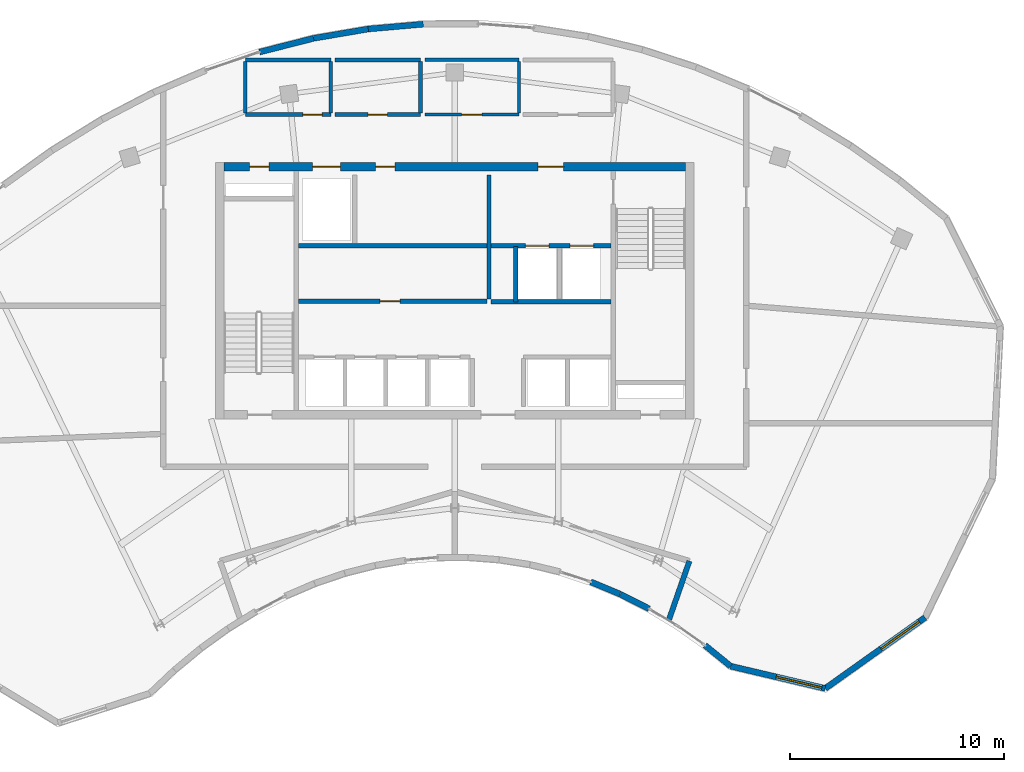
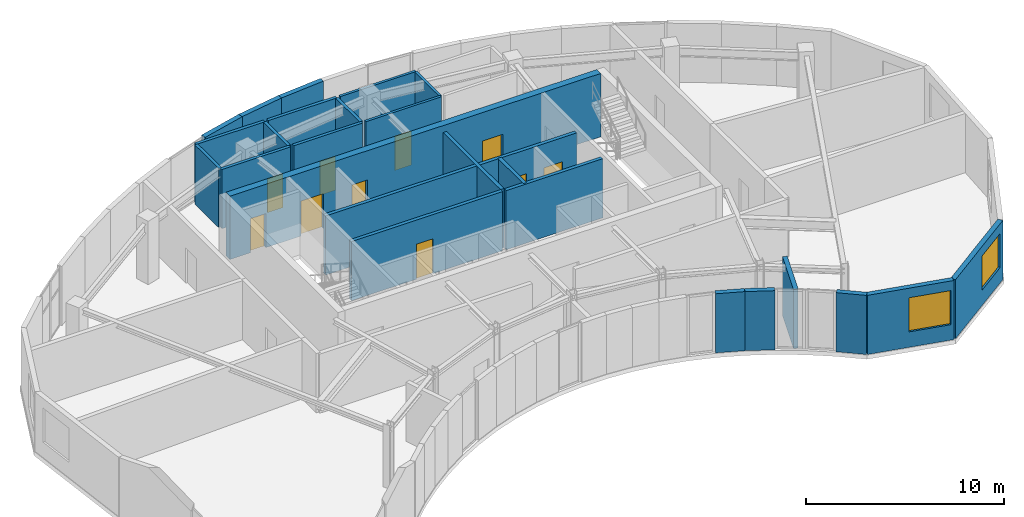
# One storey, part 6 of 9: 26 walls, 10 doors, 2 windows, 12 openings.
"""IFC4 building model written with IfcOpenShell, lengths in metres."""

from ifc_helpers import new_model, si_unit, direction, frame, frame_2d, origin, place, context, subcontext, project, spatial, rectangle, extrude, source, transform, mapped, material, layer, layer_set, type_object, type_shapes, element, fill, save


model = new_model("IFC4")

# Units and contexts
model_context = context("Model", 3, precision=1e-05, world=origin(), true_north=direction((0.0, 1.0)))
body_context = subcontext(model_context, "Body", "Model", "MODEL_VIEW")
ifc_project = project(units=[si_unit("LENGTHUNIT", "METRE"), si_unit("AREAUNIT", "SQUARE_METRE"), si_unit("VOLUMEUNIT", "CUBIC_METRE"), si_unit("PLANEANGLEUNIT", "RADIAN"), si_unit("MASSUNIT", "GRAM", prefix="KILO")], contexts=[model_context])

# Site, building, storey
site_placement = place(None, origin())
site = spatial("IfcSite", under=ifc_project, at=site_placement, CompositionType="ELEMENT")
building_placement = place(site_placement, origin())
building = spatial("IfcBuilding", under=site, at=building_placement, Name="Breltana Convention Tower", CompositionType="ELEMENT")
storey_placement = place(building_placement, frame((0.0, 0.0, 291.300048828125)))
storey = spatial("IfcBuildingStorey", under=building, at=storey_placement, Name="L71", CompositionType="ELEMENT", Elevation=291.300048828125)

# Wall, openings, doors
ifc_material_1 = material(Name="Concrete C50/60", Category="concrete")
ifc_layer_1 = layer(ifc_material_1, 0.39990234375, Name="Concrete C50/60")
ifc_layer_set_1 = layer_set([ifc_layer_1], Name="Concrete C50/60")
wall_type_1 = type_object("IfcWallType", Name="SW-CORE-400", PredefinedType="SHEAR", material=ifc_layer_set_1)
shared_shape_1 = source(origin(), body_context, "Body", "SweptSolid", [
    extrude(rectangle(XDim=21.60009765625, YDim=0.39990234375, at=frame_2d((10.800048828125, 0.0))), origin(), (0.0, 0.0, 1.0), 3.89990234375),
])
wall_1_placement = place(storey_placement, frame((37.199951171875, 72.0, 0.0), z_axis=(0.0, 0.0, 1.0), x_axis=(1.0, 0.0, 0.0)))
wall_1 = element("IfcWall", 1, at=wall_1_placement, inside=storey, type_object=wall_type_1, Name="L71 North Core Shear Wall", PredefinedType="SHEAR", context=body_context, shape_type="MappedRepresentation", body=[
    mapped(shared_shape_1, transform((0.0, 0.0, 0.0), scale=1.0)),
])
opening_1_placement = place(wall_1_placement, frame((1.199951171875, 0.0, 0.0)))
opening_1 = element("IfcOpeningElement", 2, at=opening_1_placement, cuts=wall_1, Name="Opening D-18", PredefinedType="OPENING", context=body_context, shape_type="SweptSolid", body=[
    extrude(rectangle(XDim=0.89990234375, YDim=2.10009765625, at=frame_2d((0.449951171875, 1.050048828125))), frame((0.0, 0.2099609375, 0.0), z_axis=(0.0, -1.0, 0.0), x_axis=(1.0, 0.0, 0.0)), (0.0, 0.0, 1.0), 0.419921875),
])
opening_2_placement = place(wall_1_placement, frame((14.699951171875, 0.0, 0.0)))
opening_2 = element("IfcOpeningElement", 3, at=opening_2_placement, cuts=wall_1, Name="Opening D-09", PredefinedType="OPENING", context=body_context, shape_type="SweptSolid", body=[
    extrude(rectangle(XDim=1.199951171875, YDim=2.14990234375, at=frame_2d((0.60009765625, 1.074951171875))), frame((0.0, 0.2099609375, 0.0), z_axis=(0.0, -1.0, 0.0), x_axis=(1.0, 0.0, 0.0)), (0.0, 0.0, 1.0), 0.419921875),
])
opening_3_placement = place(wall_1_placement, frame((4.14990234375, 0.0, 0.0)))
opening_3 = element("IfcOpeningElement", 4, at=opening_3_placement, cuts=wall_1, Name="Opening LD-01", PredefinedType="OPENING", context=body_context, shape_type="SweptSolid", body=[
    extrude(rectangle(XDim=1.300048828125, YDim=2.14990234375, at=frame_2d((0.64990234375, 1.074951171875))), frame((0.0, 0.2099609375, 0.0), z_axis=(0.0, -1.0, 0.0), x_axis=(1.0, 0.0, 0.0)), (0.0, 0.0, 1.0), 0.419921875),
])
opening_4_placement = place(wall_1_placement, frame((7.10009765625, 0.0, 0.0)))
opening_4 = element("IfcOpeningElement", 5, at=opening_4_placement, cuts=wall_1, Name="Opening D-18", PredefinedType="OPENING", context=body_context, shape_type="SweptSolid", body=[
    extrude(rectangle(XDim=0.89990234375, YDim=2.10009765625, at=frame_2d((0.449951171875, 1.050048828125))), frame((0.0, 0.2099609375, 0.0), z_axis=(0.0, -1.0, 0.0), x_axis=(1.0, 0.0, 0.0)), (0.0, 0.0, 1.0), 0.419921875),
])
ifc_material_2 = material(Name="Steel Riser Fire Door", Category="steel")
door_type_1 = type_object("IfcDoorType", Name="DR-FD60-900", OperationType="NOTDEFINED", PredefinedType="DOOR", material=ifc_material_2)
shared_shape_2 = source(origin(), body_context, "Body", "SweptSolid", [
    extrude(rectangle(XDim=0.89990234375, YDim=2.10009765625, at=frame_2d((0.449951171875, 1.050048828125))), frame((0.0, 0.02490234375, 0.0), z_axis=(0.0, -1.0, 0.0), x_axis=(1.0, 0.0, 0.0)), (0.0, 0.0, 1.0), 0.050048828125),
])
type_shapes(door_type_1, [shared_shape_2])
door_1_placement = place(opening_1_placement, origin())
door_1 = element("IfcDoor", 6, at=door_1_placement, inside=storey, type_object=door_type_1, Name="L71 Core Riser Access Door D-L71-RS1", OperationType="SINGLE_SWING_LEFT", OverallHeight=2.10009765625, OverallWidth=0.89990234375, PredefinedType="DOOR", context=body_context, shape_type="MappedRepresentation", body=[
    mapped(shared_shape_2, transform((0.0, 0.0, 0.0), scale=1.0)),
])
fill(opening_1, door_1)
door_2_placement = place(opening_4_placement, origin())
door_2 = element("IfcDoor", 7, at=door_2_placement, inside=storey, type_object=door_type_1, Name="L71 interior door D-L71-CRA1", OperationType="SINGLE_SWING_LEFT", OverallHeight=2.10009765625, OverallWidth=0.89990234375, PredefinedType="DOOR", context=body_context, shape_type="MappedRepresentation", body=[
    mapped(shared_shape_2, transform((0.0, 0.0, 0.0), scale=1.0)),
])
fill(opening_4, door_2)
ifc_material_3 = material(Name="Steel Fire Lobby Door", Category="steel")
door_type_2 = type_object("IfcDoorType", Name="DR-FD120-1200", OperationType="NOTDEFINED", PredefinedType="DOOR", material=ifc_material_3)
shared_shape_3 = source(origin(), body_context, "Body", "SweptSolid", [
    extrude(rectangle(XDim=1.199951171875, YDim=2.14990234375, at=frame_2d((0.60009765625, 1.074951171875))), frame((0.0, 0.02490234375, 0.0), z_axis=(0.0, -1.0, 0.0), x_axis=(1.0, 0.0, 0.0)), (0.0, 0.0, 1.0), 0.050048828125),
])
type_shapes(door_type_2, [shared_shape_3])
door_3_placement = place(opening_2_placement, origin())
door_3 = element("IfcDoor", 8, at=door_3_placement, inside=storey, type_object=door_type_2, Name="L71 interior door D-L71-FFL-N", OperationType="SINGLE_SWING_RIGHT", OverallHeight=2.14990234375, OverallWidth=1.199951171875, PredefinedType="DOOR", context=body_context, shape_type="MappedRepresentation", body=[
    mapped(shared_shape_3, transform((0.0, 0.0, 0.0), scale=1.0)),
])
fill(opening_2, door_3)
ifc_material_4 = material(Name="Stainless Steel Brushed", Category="steel")
door_type_3 = type_object("IfcDoorType", Name="DR-LD-SRV-1300", OperationType="DOUBLE_DOOR_SLIDING", PredefinedType="DOOR", material=ifc_material_4)
shared_shape_4 = source(origin(), body_context, "Body", "SweptSolid", [
    extrude(rectangle(XDim=1.300048828125, YDim=2.14990234375, at=frame_2d((0.64990234375, 1.074951171875))), frame((0.0, 0.02490234375, 0.0), z_axis=(0.0, -1.0, 0.0), x_axis=(1.0, 0.0, 0.0)), (0.0, 0.0, 1.0), 0.050048828125),
])
type_shapes(door_type_3, [shared_shape_4])
door_4_placement = place(opening_3_placement, origin())
door_4 = element("IfcDoor", 9, at=door_4_placement, inside=storey, type_object=door_type_3, Name="L71 Lift Landing Door D-L71-LD-SV1", OperationType="DOUBLE_DOOR_SLIDING", OverallHeight=2.14990234375, OverallWidth=1.300048828125, PredefinedType="DOOR", context=body_context, shape_type="MappedRepresentation", body=[
    mapped(shared_shape_4, transform((0.0, 0.0, 0.0), scale=1.0)),
])
fill(opening_3, door_4)

# Wall, opening, window
ifc_material_5 = material(Name="Limestone Buff Insulated Wall", Category="masonry")
ifc_layer_2 = layer(ifc_material_5, 0.280029296875, Name="Limestone Buff Insulated Wall")
ifc_layer_set_2 = layer_set([ifc_layer_2], Name="Limestone Buff Insulated Wall")
wall_type_2 = type_object("IfcWallType", Name="WL-EXT-NOSE-280", PredefinedType="SOLIDWALL", material=ifc_layer_set_2)
shared_shape_5 = source(origin(), body_context, "Body", "SweptSolid", [
    extrude(rectangle(XDim=5.730712890625, YDim=0.280029296875, at=frame_2d((2.865234375, 0.0))), origin(), (0.0, 0.0, 1.0), 3.639892578125),
])
wall_2_placement = place(storey_placement, frame((70.003662109375, 50.9091796875, 0.0), z_axis=(0.0, 0.0, 1.0), x_axis=(-0.815021045908, -0.579431354629, 0.0)))
wall_2 = element("IfcWall", 10, at=wall_2_placement, inside=storey, type_object=wall_type_2, Name="L71 curved limestone nose wall E4", PredefinedType="SOLIDWALL", context=body_context, shape_type="MappedRepresentation", body=[
    mapped(shared_shape_5, transform((0.0, 0.0, 0.0), scale=1.0)),
])
opening_5_placement = place(wall_2_placement, frame((0.332763671875, 0.0, 0.949951171875)))
opening_5 = element("IfcOpeningElement", 11, at=opening_5_placement, cuts=wall_2, Name="Opening W-03", PredefinedType="OPENING", context=body_context, shape_type="SweptSolid", body=[
    extrude(rectangle(XDim=2.199951171875, YDim=2.10009765625, at=frame_2d((1.10009765625, 1.050048828125))), frame((0.0, 0.14990234375, 0.0), z_axis=(0.0, -1.0, 0.0), x_axis=(1.0, 0.0, 0.0)), (0.0, 0.0, 1.0), 0.300048828125),
])
ifc_material_6 = material(Name="Glass Low-E Insulated Window", Category="glass")
window_type = type_object("IfcWindowType", Name="WN-NOSE-2200X2100", PartitioningType="TRIPLE_PANEL_VERTICAL", PredefinedType="WINDOW", material=ifc_material_6)
shared_shape_6 = source(origin(), body_context, "Body", "SweptSolid", [
    extrude(rectangle(XDim=2.199951171875, YDim=2.10009765625, at=frame_2d((1.10009765625, 1.050048828125))), frame((0.0, 0.030029296875, 0.0), z_axis=(0.0, -1.0, 0.0), x_axis=(1.0, 0.0, 0.0)), (0.0, 0.0, 1.0), 0.06005859375),
])
type_shapes(window_type, [shared_shape_6])
window_1_placement = place(opening_5_placement, origin())
window_1 = element("IfcWindow", 12, at=window_1_placement, inside=storey, type_object=window_type, Name="L71 nose window E4", OverallHeight=2.10009765625, OverallWidth=2.199951171875, PartitioningType="TRIPLE_PANEL_VERTICAL", PredefinedType="WINDOW", context=body_context, shape_type="MappedRepresentation", body=[
    mapped(shared_shape_6, transform((0.0, 0.0, 0.0), scale=1.0)),
])
fill(opening_5, window_1)

shared_shape_7 = source(origin(), body_context, "Body", "SweptSolid", [
    extrude(rectangle(XDim=4.546630859375, YDim=0.280029296875, at=frame_2d((2.2734375, 0.0))), origin(), (0.0, 0.0, 1.0), 3.639892578125),
])
wall_3_placement = place(storey_placement, frame((65.3330078125, 47.588623046875, 0.0), z_axis=(0.0, 0.0, 1.0), x_axis=(-0.973332593516, 0.229398479505, 0.0)))
wall_3 = element("IfcWall", 13, at=wall_3_placement, inside=storey, type_object=wall_type_2, Name="L71 curved limestone nose wall E5", PredefinedType="SOLIDWALL", context=body_context, shape_type="MappedRepresentation", body=[
    mapped(shared_shape_7, transform((0.0, 0.0, 0.0), scale=1.0)),
])
opening_6_placement = place(wall_3_placement, frame((0.159912109375, 0.0, 0.949951171875)))
opening_6 = element("IfcOpeningElement", 14, at=opening_6_placement, cuts=wall_3, Name="Opening W-03", PredefinedType="OPENING", context=body_context, shape_type="SweptSolid", body=[
    extrude(rectangle(XDim=2.199951171875, YDim=2.10009765625, at=frame_2d((1.10009765625, 1.050048828125))), frame((0.0, 0.14990234375, 0.0), z_axis=(0.0, -1.0, 0.0), x_axis=(1.0, 0.0, 0.0)), (0.0, 0.0, 1.0), 0.300048828125),
])
window_2_placement = place(opening_6_placement, origin())
window_2 = element("IfcWindow", 15, at=window_2_placement, inside=storey, type_object=window_type, Name="L71 nose window E5", OverallHeight=2.10009765625, OverallWidth=2.199951171875, PartitioningType="TRIPLE_PANEL_VERTICAL", PredefinedType="WINDOW", context=body_context, shape_type="MappedRepresentation", body=[
    mapped(shared_shape_6, transform((0.0, 0.0, 0.0), scale=1.0)),
])
fill(opening_6, window_2)

# Walls
shared_shape_8 = source(origin(), body_context, "Body", "SweptSolid", [
    extrude(rectangle(XDim=1.54345703125, YDim=0.280029296875, at=frame_2d((0.771728515625, 0.0))), origin(), (0.0, 0.0, 1.0), 3.639892578125),
])
wall_4_placement = place(storey_placement, frame((60.90771484375, 48.631591796875, 0.0), z_axis=(0.0, 0.0, 1.0), x_axis=(-0.77582846857, 0.63094388606, 0.0)))
element("IfcWall", 16, at=wall_4_placement, inside=storey, type_object=wall_type_2, Name="L71 curved limestone nose wall E6", PredefinedType="SOLIDWALL", context=body_context, shape_type="MappedRepresentation", body=[
    mapped(shared_shape_8, transform((0.0, 0.0, 0.0), scale=1.0)),
])
shared_shape_9 = source(origin(), body_context, "Body", "SweptSolid", [
    extrude(rectangle(XDim=1.508544921875, YDim=0.280029296875, at=frame_2d((0.75439453125, 0.0))), origin(), (0.0, 0.0, 1.0), 3.639892578125),
])
wall_5_placement = place(storey_placement, frame((57.09375, 51.3154296875, 0.0), z_axis=(0.0, 0.0, 1.0), x_axis=(-0.89169189228, 0.452642871635, 0.0)))
element("IfcWall", 17, at=wall_5_placement, inside=storey, type_object=wall_type_2, Name="L71 curved limestone nose wall E7", PredefinedType="SOLIDWALL", context=body_context, shape_type="MappedRepresentation", body=[
    mapped(shared_shape_9, transform((0.0, 0.0, 0.0), scale=1.0)),
])
shared_shape_10 = source(origin(), body_context, "Body", "SweptSolid", [
    extrude(rectangle(XDim=1.48779296875, YDim=0.280029296875, at=frame_2d((0.743896484375, 0.0))), origin(), (0.0, 0.0, 1.0), 3.639892578125),
])
wall_6_placement = place(storey_placement, frame((55.736328125, 52.00390625, 0.0), z_axis=(0.0, 0.0, 1.0), x_axis=(-0.923261314935, 0.384172545017, 0.0)))
element("IfcWall", 18, at=wall_6_placement, inside=storey, type_object=wall_type_2, Name="L71 curved limestone nose wall E8", PredefinedType="SOLIDWALL", context=body_context, shape_type="MappedRepresentation", body=[
    mapped(shared_shape_10, transform((0.0, 0.0, 0.0), scale=1.0)),
])
shared_shape_11 = source(origin(), body_context, "Body", "SweptSolid", [
    extrude(rectangle(XDim=2.6142578125, YDim=0.280029296875, at=frame_2d((1.30712890625, 0.0))), origin(), (0.0, 0.0, 1.0), 3.639892578125),
])
wall_7_placement = place(storey_placement, frame((38.86328125, 77.36181640625, 0.0), z_axis=(0.0, 0.0, 1.0), x_axis=(0.969106509315, 0.246642602978, 0.0)))
element("IfcWall", 19, at=wall_7_placement, inside=storey, type_object=wall_type_2, Name="L71 curved limestone nose wall E24", PredefinedType="SOLIDWALL", context=body_context, shape_type="MappedRepresentation", body=[
    mapped(shared_shape_11, transform((0.0, 0.0, 0.0), scale=1.0)),
])
shared_shape_12 = source(origin(), body_context, "Body", "SweptSolid", [
    extrude(rectangle(XDim=2.58251953125, YDim=0.280029296875, at=frame_2d((1.291259765625, 0.0))), origin(), (0.0, 0.0, 1.0), 3.639892578125),
])
wall_8_placement = place(storey_placement, frame((43.954345703125, 78.4423828125, 0.0), z_axis=(0.0, 0.0, 1.0), x_axis=(0.996168946569, 0.087449584851, 0.0)))
element("IfcWall", 20, at=wall_8_placement, inside=storey, type_object=wall_type_2, Name="L71 curved limestone nose wall E26", PredefinedType="SOLIDWALL", context=body_context, shape_type="MappedRepresentation", body=[
    mapped(shared_shape_12, transform((0.0, 0.0, 0.0), scale=1.0)),
])
shared_shape_13 = source(origin(), body_context, "Body", "SweptSolid", [
    extrude(rectangle(XDim=2.594482421875, YDim=0.280029296875, at=frame_2d((1.29736328125, 0.0))), origin(), (0.0, 0.0, 1.0), 3.639892578125),
])
wall_9_placement = place(storey_placement, frame((41.396728515625, 78.006591796875, 0.0), z_axis=(0.0, 0.0, 1.0), x_axis=(0.985792341502, 0.167968626344, 0.0)))
element("IfcWall", 21, at=wall_9_placement, inside=storey, type_object=wall_type_2, Name="L71 curved limestone nose wall E25", PredefinedType="SOLIDWALL", context=body_context, shape_type="MappedRepresentation", body=[
    mapped(shared_shape_13, transform((0.0, 0.0, 0.0), scale=1.0)),
])

# Wall, openings, doors
ifc_material_7 = material(Name="Autoclaved Aerated Concrete Block", Category="concrete")
ifc_layer_3 = layer(ifc_material_7, 0.199951171875, Name="Autoclaved Aerated Concrete Block")
ifc_layer_set_3 = layer_set([ifc_layer_3], Name="Autoclaved Aerated Concrete Block")
wall_type_3 = type_object("IfcWallType", Name="WL-SHAFT-200", PredefinedType="SOLIDWALL", material=ifc_layer_set_3)
shared_shape_14 = source(origin(), body_context, "Body", "SweptSolid", [
    extrude(rectangle(XDim=5.6201171875, YDim=0.199951171875, at=frame_2d((2.81005859375, 0.0))), origin(), (0.0, 0.0, 1.0), 3.639892578125),
])
wall_10_placement = place(storey_placement, frame((49.699951171875, 68.300048828125, 0.0), z_axis=(0.0, 0.0, 1.0), x_axis=(1.0, 0.0, 0.0)))
wall_10 = element("IfcWall", 22, at=wall_10_placement, inside=storey, type_object=wall_type_3, Name="L71 interior partition W-L71-FFL-S", PredefinedType="SOLIDWALL", context=body_context, shape_type="MappedRepresentation", body=[
    mapped(shared_shape_14, transform((0.0, 0.0, 0.0), scale=1.0)),
])
opening_7_placement = place(wall_10_placement, frame((1.60009765625, 0.0, 0.0)))
opening_7 = element("IfcOpeningElement", 23, at=opening_7_placement, cuts=wall_10, Name="Opening LD-03", PredefinedType="OPENING", context=body_context, shape_type="SweptSolid", body=[
    extrude(rectangle(XDim=1.10009765625, YDim=2.14990234375, at=frame_2d((0.550048828125, 1.074951171875))), frame((0.0, 0.10986328125, 0.0), z_axis=(0.0, -1.0, 0.0), x_axis=(1.0, 0.0, 0.0)), (0.0, 0.0, 1.0), 0.219970703125),
])
opening_8_placement = place(wall_10_placement, frame((3.699951171875, 0.0, 0.0)))
opening_8 = element("IfcOpeningElement", 24, at=opening_8_placement, cuts=wall_10, Name="Opening LD-03", PredefinedType="OPENING", context=body_context, shape_type="SweptSolid", body=[
    extrude(rectangle(XDim=1.10009765625, YDim=2.14990234375, at=frame_2d((0.550048828125, 1.074951171875))), frame((0.0, 0.10986328125, 0.0), z_axis=(0.0, -1.0, 0.0), x_axis=(1.0, 0.0, 0.0)), (0.0, 0.0, 1.0), 0.219970703125),
])
door_type_4 = type_object("IfcDoorType", Name="DR-LD-FF-1100", OperationType="DOUBLE_DOOR_SLIDING", PredefinedType="DOOR", material=ifc_material_4)
shared_shape_15 = source(origin(), body_context, "Body", "SweptSolid", [
    extrude(rectangle(XDim=1.10009765625, YDim=2.14990234375, at=frame_2d((0.550048828125, 1.074951171875))), frame((0.0, 0.02490234375, 0.0), z_axis=(0.0, -1.0, 0.0), x_axis=(1.0, 0.0, 0.0)), (0.0, 0.0, 1.0), 0.050048828125),
])
type_shapes(door_type_4, [shared_shape_15])
door_5_placement = place(opening_7_placement, origin())
door_5 = element("IfcDoor", 25, at=door_5_placement, inside=storey, type_object=door_type_4, Name="L71 Lift Landing Door D-L71-LD-FL1", OperationType="DOUBLE_DOOR_SLIDING", OverallHeight=2.14990234375, OverallWidth=1.10009765625, PredefinedType="DOOR", context=body_context, shape_type="MappedRepresentation", body=[
    mapped(shared_shape_15, transform((0.0, 0.0, 0.0), scale=1.0)),
])
fill(opening_7, door_5)
door_6_placement = place(opening_8_placement, origin())
door_6 = element("IfcDoor", 26, at=door_6_placement, inside=storey, type_object=door_type_4, Name="L71 Lift Landing Door D-L71-LD-FL2", OperationType="DOUBLE_DOOR_SLIDING", OverallHeight=2.14990234375, OverallWidth=1.10009765625, PredefinedType="DOOR", context=body_context, shape_type="MappedRepresentation", body=[
    mapped(shared_shape_15, transform((0.0, 0.0, 0.0), scale=1.0)),
])
fill(opening_8, door_6)

# Walls
wall_11_placement = place(storey_placement, frame((49.699951171875, 65.679931640625, 0.0), z_axis=(0.0, 0.0, 1.0), x_axis=(1.0, 0.0, 0.0)))
element("IfcWall", 27, at=wall_11_placement, inside=storey, type_object=wall_type_3, Name="L71 interior partition W-L71-FL-S", PredefinedType="SOLIDWALL", context=body_context, shape_type="MappedRepresentation", body=[
    mapped(shared_shape_14, transform((0.0, 0.0, 0.0), scale=1.0)),
])
shared_shape_16 = source(origin(), body_context, "Body", "SweptSolid", [
    extrude(rectangle(XDim=5.800048828125, YDim=0.199951171875, at=frame_2d((2.89990234375, 0.0))), origin(), (0.0, 0.0, 1.0), 3.639892578125),
])
wall_12_placement = place(storey_placement, frame((49.60009765625, 65.800048828125, 0.0), z_axis=(0.0, 0.0, 1.0), x_axis=(0.0, 1.0, 0.0)))
element("IfcWall", 28, at=wall_12_placement, inside=storey, type_object=wall_type_3, Name="L71 interior partition W-L71-FFL-W", PredefinedType="SOLIDWALL", context=body_context, shape_type="MappedRepresentation", body=[
    mapped(shared_shape_16, transform((0.0, 0.0, 0.0), scale=1.0)),
])
shared_shape_17 = source(origin(), body_context, "Body", "SweptSolid", [
    extrude(rectangle(XDim=2.580078125, YDim=0.199951171875, at=frame_2d((1.2900390625, 0.0))), origin(), (0.0, 0.0, 1.0), 3.639892578125),
])
wall_13_placement = place(storey_placement, frame((50.85009765625, 65.679931640625, 0.0), z_axis=(0.0, 0.0, 1.0), x_axis=(0.0, 1.0, 0.0)))
element("IfcWall", 29, at=wall_13_placement, inside=storey, type_object=wall_type_3, Name="L71 interior partition W-L71-FL-W", PredefinedType="SOLIDWALL", context=body_context, shape_type="MappedRepresentation", body=[
    mapped(shared_shape_17, transform((0.0, 0.0, 0.0), scale=1.0)),
])
shared_shape_18 = source(origin(), body_context, "Body", "SweptSolid", [
    extrude(rectangle(XDim=8.800048828125, YDim=0.199951171875, at=frame_2d((4.39990234375, 0.0))), origin(), (0.0, 0.0, 1.0), 3.639892578125),
])
wall_14_placement = place(storey_placement, frame((40.699951171875, 68.300048828125, 0.0), z_axis=(0.0, 0.0, 1.0), x_axis=(1.0, 0.0, 0.0)))
element("IfcWall", 30, at=wall_14_placement, inside=storey, type_object=wall_type_3, Name="L71 interior partition W-L71-SV-S", PredefinedType="SOLIDWALL", context=body_context, shape_type="MappedRepresentation", body=[
    mapped(shared_shape_18, transform((0.0, 0.0, 0.0), scale=1.0)),
])

# Wall, opening, door
wall_15_placement = place(storey_placement, frame((40.699951171875, 65.699951171875, 0.0), z_axis=(0.0, 0.0, 1.0), x_axis=(1.0, 0.0, 0.0)))
wall_15 = element("IfcWall", 31, at=wall_15_placement, inside=storey, type_object=wall_type_3, Name="L71 interior partition W-L71-SH-M-FRONT", PredefinedType="SOLIDWALL", context=body_context, shape_type="MappedRepresentation", body=[
    mapped(shared_shape_18, transform((0.0, 0.0, 0.0), scale=1.0)),
])
opening_9_placement = place(wall_15_placement, frame((3.800048828125, 0.0, 0.0)))
opening_9 = element("IfcOpeningElement", 32, at=opening_9_placement, cuts=wall_15, Name="Opening D-14", PredefinedType="OPENING", context=body_context, shape_type="SweptSolid", body=[
    extrude(rectangle(XDim=0.949951171875, YDim=2.14990234375, at=frame_2d((0.47509765625, 1.074951171875))), frame((0.0, 0.10986328125, 0.0), z_axis=(0.0, -1.0, 0.0), x_axis=(1.0, 0.0, 0.0)), (0.0, 0.0, 1.0), 0.219970703125),
])
ifc_material_8 = material(Name="Timber Solid-Core Fire Door", Category="wood")
door_type_5 = type_object("IfcDoorType", Name="DR-FD60-950", OperationType="NOTDEFINED", PredefinedType="DOOR", material=ifc_material_8)
shared_shape_19 = source(origin(), body_context, "Body", "SweptSolid", [
    extrude(rectangle(XDim=0.949951171875, YDim=2.14990234375, at=frame_2d((0.47509765625, 1.074951171875))), frame((0.0, 0.02490234375, 0.0), z_axis=(0.0, -1.0, 0.0), x_axis=(1.0, 0.0, 0.0)), (0.0, 0.0, 1.0), 0.050048828125),
])
type_shapes(door_type_5, [shared_shape_19])
door_7_placement = place(opening_9_placement, origin())
door_7 = element("IfcDoor", 33, at=door_7_placement, inside=storey, type_object=door_type_5, Name="L71 interior door D-L71-LV7-B2A", OperationType="SINGLE_SWING_RIGHT", OverallHeight=2.14990234375, OverallWidth=0.949951171875, PredefinedType="DOOR", context=body_context, shape_type="MappedRepresentation", body=[
    mapped(shared_shape_19, transform((0.0, 0.0, 0.0), scale=1.0)),
])
fill(opening_9, door_7)

ifc_material_9 = material(Name="Cement Board Wet-Area Partition")
ifc_layer_4 = layer(ifc_material_9, 0.175048828125, Name="Cement Board Wet-Area Partition")
ifc_layer_set_4 = layer_set([ifc_layer_4], Name="Cement Board Wet-Area Partition")
wall_type_4 = type_object("IfcWallType", Name="WL-WET-175", PredefinedType="PARTITIONING", material=ifc_layer_set_4)
shared_shape_20 = source(origin(), body_context, "Body", "SweptSolid", [
    extrude(rectangle(XDim=4.0, YDim=0.175048828125, at=frame_2d((2.0, 0.0))), origin(), (0.0, 0.0, 1.0), 3.639892578125),
])
wall_16_placement = place(storey_placement, frame((38.199951171875, 74.43994140625, 0.0), z_axis=(0.0, 0.0, 1.0), x_axis=(1.0, 0.0, 0.0)))
wall_16 = element("IfcWall", 34, at=wall_16_placement, inside=storey, type_object=wall_type_4, Name="L71 interior partition W-L71-WCM-S", PredefinedType="PARTITIONING", context=body_context, shape_type="MappedRepresentation", body=[
    mapped(shared_shape_20, transform((0.0, 0.0, 0.0), scale=1.0)),
])
opening_10_placement = place(wall_16_placement, frame((2.699951171875, 0.0, 0.0)))
opening_10 = element("IfcOpeningElement", 35, at=opening_10_placement, cuts=wall_16, Name="Opening D-19", PredefinedType="OPENING", context=body_context, shape_type="SweptSolid", body=[
    extrude(rectangle(XDim=0.89990234375, YDim=2.080078125, at=frame_2d((0.449951171875, 1.0400390625))), frame((0.0, 0.09765625, 0.0), z_axis=(0.0, -1.0, 0.0), x_axis=(1.0, 0.0, 0.0)), (0.0, 0.0, 1.0), 0.195068359375),
])
ifc_material_10 = material(Name="Timber Moisture-Resistant Door", Category="wood")
door_type_6 = type_object("IfcDoorType", Name="DR-WC-900", OperationType="NOTDEFINED", PredefinedType="DOOR", material=ifc_material_10)
shared_shape_21 = source(origin(), body_context, "Body", "SweptSolid", [
    extrude(rectangle(XDim=0.89990234375, YDim=2.080078125, at=frame_2d((0.449951171875, 1.0400390625))), frame((0.0, 0.02490234375, 0.0), z_axis=(0.0, -1.0, 0.0), x_axis=(1.0, 0.0, 0.0)), (0.0, 0.0, 1.0), 0.050048828125),
])
type_shapes(door_type_6, [shared_shape_21])
door_8_placement = place(opening_10_placement, origin())
door_8 = element("IfcDoor", 36, at=door_8_placement, inside=storey, type_object=door_type_6, Name="L71 interior door D-L71-WCM", OperationType="SINGLE_SWING_LEFT", OverallHeight=2.080078125, OverallWidth=0.89990234375, PredefinedType="DOOR", context=body_context, shape_type="MappedRepresentation", body=[
    mapped(shared_shape_21, transform((0.0, 0.0, 0.0), scale=1.0)),
])
fill(opening_10, door_8)

wall_17_placement = place(storey_placement, frame((42.39990234375, 74.43994140625, 0.0), z_axis=(0.0, 0.0, 1.0), x_axis=(1.0, 0.0, 0.0)))
wall_17 = element("IfcWall", 37, at=wall_17_placement, inside=storey, type_object=wall_type_4, Name="L71 interior partition W-L71-WCF-S", PredefinedType="PARTITIONING", context=body_context, shape_type="MappedRepresentation", body=[
    mapped(shared_shape_20, transform((0.0, 0.0, 0.0), scale=1.0)),
])
opening_11_placement = place(wall_17_placement, frame((1.550048828125, 0.0, 0.0)))
opening_11 = element("IfcOpeningElement", 38, at=opening_11_placement, cuts=wall_17, Name="Opening D-19", PredefinedType="OPENING", context=body_context, shape_type="SweptSolid", body=[
    extrude(rectangle(XDim=0.89990234375, YDim=2.080078125, at=frame_2d((0.449951171875, 1.0400390625))), frame((0.0, 0.09765625, 0.0), z_axis=(0.0, -1.0, 0.0), x_axis=(1.0, 0.0, 0.0)), (0.0, 0.0, 1.0), 0.195068359375),
])
door_9_placement = place(opening_11_placement, origin())
door_9 = element("IfcDoor", 39, at=door_9_placement, inside=storey, type_object=door_type_6, Name="L71 interior door D-L71-WCF", OperationType="SINGLE_SWING_RIGHT", OverallHeight=2.080078125, OverallWidth=0.89990234375, PredefinedType="DOOR", context=body_context, shape_type="MappedRepresentation", body=[
    mapped(shared_shape_21, transform((0.0, 0.0, 0.0), scale=1.0)),
])
fill(opening_11, door_9)

# Walls
ifc_material_11 = material(Name="Moisture-Resistant Gypsum Chase Wall")
ifc_layer_5 = layer(ifc_material_11, 0.179931640625, Name="Moisture-Resistant Gypsum Chase Wall")
ifc_layer_set_5 = layer_set([ifc_layer_5], Name="Moisture-Resistant Gypsum Chase Wall")
wall_type_5 = type_object("IfcWallType", Name="WL-PLUMB-180", PredefinedType="PLUMBINGWALL", material=ifc_layer_set_5)
shared_shape_22 = source(origin(), body_context, "Body", "SweptSolid", [
    extrude(rectangle(XDim=4.0, YDim=0.179931640625, at=frame_2d((2.0, 0.0))), origin(), (0.0, 0.0, 1.0), 3.639892578125),
])
for number, where, z_axis, x_axis, name in (
    (40, (38.199951171875, 77.0, 0.0), (0.0, 0.0, 1.0), (1.0, 0.0, 0.0), "L71 interior partition W-L71-WCM-N"),
    (41, (42.39990234375, 77.0, 0.0), (0.0, 0.0, 1.0), (1.0, 0.0, 0.0), "L71 interior partition W-L71-WCF-N"),
):
    element("IfcWall", number, at=place(storey_placement, frame(where, z_axis=z_axis, x_axis=x_axis)), inside=storey, type_object=wall_type_5, Name=name, PredefinedType="PLUMBINGWALL", context=body_context, shape_type="MappedRepresentation", body=[
        mapped(shared_shape_22, transform((0.0, 0.0, 0.0), scale=1.0)),
    ])
shared_shape_23 = source(origin(), body_context, "Body", "SweptSolid", [
    extrude(rectangle(XDim=2.402587890625, YDim=0.175048828125, at=frame_2d((1.201171875, 0.0))), origin(), (0.0, 0.0, 1.0), 3.639892578125),
])
for number, where, z_axis, x_axis, name in (
    (42, (38.199951171875, 74.518798828125, 0.0), (0.0, 0.0, 1.0), (0.0, 1.0, 0.0), "L71 interior partition W-L71-WCM-W"),
    (43, (42.199951171875, 74.518798828125, 0.0), (0.0, 0.0, 1.0), (0.0, 1.0, 0.0), "L71 interior partition W-L71-WCM-E"),
    (44, (46.39990234375, 74.518798828125, 0.0), (0.0, 0.0, 1.0), (0.0, 1.0, 0.0), "L71 interior partition W-L71-WCF-E"),
):
    element("IfcWall", number, at=place(storey_placement, frame(where, z_axis=z_axis, x_axis=x_axis)), inside=storey, type_object=wall_type_4, Name=name, PredefinedType="PARTITIONING", context=body_context, shape_type="MappedRepresentation", body=[
        mapped(shared_shape_23, transform((0.0, 0.0, 0.0), scale=1.0)),
    ])

# Wall, opening, door
ifc_material_12 = material(Name="Gypsum Acoustic Drywall Partition")
ifc_layer_6 = layer(ifc_material_12, 0.14990234375, Name="Gypsum Acoustic Drywall Partition")
ifc_layer_set_6 = layer_set([ifc_layer_6], Name="Gypsum Acoustic Drywall Partition")
wall_type_6 = type_object("IfcWallType", Name="WL-PART-150", PredefinedType="PARTITIONING", material=ifc_layer_set_6)
shared_shape_24 = source(origin(), body_context, "Body", "SweptSolid", [
    extrude(rectangle(XDim=4.39990234375, YDim=0.14990234375, at=frame_2d((2.199951171875, 0.0))), origin(), (0.0, 0.0, 1.0), 3.639892578125),
])
wall_18_placement = place(storey_placement, frame((46.60009765625, 74.43994140625, 0.0), z_axis=(0.0, 0.0, 1.0), x_axis=(1.0, 0.0, 0.0)))
wall_18 = element("IfcWall", 45, at=wall_18_placement, inside=storey, type_object=wall_type_6, Name="L71 interior partition W-L71-PNT-S", PredefinedType="PARTITIONING", context=body_context, shape_type="MappedRepresentation", body=[
    mapped(shared_shape_24, transform((0.0, 0.0, 0.0), scale=1.0)),
])
opening_12_placement = place(wall_18_placement, frame((1.72509765625, 0.0, 0.0)))
opening_12 = element("IfcOpeningElement", 46, at=opening_12_placement, cuts=wall_18, Name="Opening D-17", PredefinedType="OPENING", context=body_context, shape_type="SweptSolid", body=[
    extrude(rectangle(XDim=0.949951171875, YDim=2.10009765625, at=frame_2d((0.47509765625, 1.050048828125))), frame((0.0, 0.0849609375, 0.0), z_axis=(0.0, -1.0, 0.0), x_axis=(1.0, 0.0, 0.0)), (0.0, 0.0, 1.0), 0.169921875),
])
ifc_material_13 = material(Name="Timber Oak Veneer Door", Category="wood")
door_type_7 = type_object("IfcDoorType", Name="DR-INT-950", OperationType="NOTDEFINED", PredefinedType="DOOR", material=ifc_material_13)
shared_shape_25 = source(origin(), body_context, "Body", "SweptSolid", [
    extrude(rectangle(XDim=0.949951171875, YDim=2.10009765625, at=frame_2d((0.47509765625, 1.050048828125))), frame((0.0, 0.02490234375, 0.0), z_axis=(0.0, -1.0, 0.0), x_axis=(1.0, 0.0, 0.0)), (0.0, 0.0, 1.0), 0.050048828125),
])
type_shapes(door_type_7, [shared_shape_25])
door_10_placement = place(opening_12_placement, origin())
door_10 = element("IfcDoor", 47, at=door_10_placement, inside=storey, type_object=door_type_7, Name="L71 interior door D-L71-PNT", OperationType="SINGLE_SWING_LEFT", OverallHeight=2.10009765625, OverallWidth=0.949951171875, PredefinedType="DOOR", context=body_context, shape_type="MappedRepresentation", body=[
    mapped(shared_shape_25, transform((0.0, 0.0, 0.0), scale=1.0)),
])
fill(opening_12, door_10)

# Walls
wall_19_placement = place(storey_placement, frame((46.60009765625, 77.0, 0.0), z_axis=(0.0, 0.0, 1.0), x_axis=(1.0, 0.0, 0.0)))
element("IfcWall", 48, at=wall_19_placement, inside=storey, type_object=wall_type_6, Name="L71 interior partition W-L71-PNT-N", PredefinedType="PARTITIONING", context=body_context, shape_type="MappedRepresentation", body=[
    mapped(shared_shape_24, transform((0.0, 0.0, 0.0), scale=1.0)),
])
shared_shape_26 = source(origin(), body_context, "Body", "SweptSolid", [
    extrude(rectangle(XDim=2.425048828125, YDim=0.14990234375, at=frame_2d((1.21240234375, 0.0))), origin(), (0.0, 0.0, 1.0), 3.639892578125),
])
wall_20_placement = place(storey_placement, frame((51.0, 74.507568359375, 0.0), z_axis=(0.0, 0.0, 1.0), x_axis=(0.0, 1.0, 0.0)))
element("IfcWall", 49, at=wall_20_placement, inside=storey, type_object=wall_type_6, Name="L71 interior partition W-L71-PNT-E", PredefinedType="PARTITIONING", context=body_context, shape_type="MappedRepresentation", body=[
    mapped(shared_shape_26, transform((0.0, 0.0, 0.0), scale=1.0)),
])
ifc_material_14 = material(Name="Gypsum Acoustic Double Stud Wall")
ifc_layer_7 = layer(ifc_material_14, 0.25, Name="Gypsum Acoustic Double Stud Wall")
ifc_layer_set_7 = layer_set([ifc_layer_7], Name="Gypsum Acoustic Double Stud Wall")
wall_type_7 = type_object("IfcWallType", Name="WL-ACOUSTIC-250", PredefinedType="PARTITIONING", material=ifc_layer_set_7)
shared_shape_27 = source(origin(), body_context, "Body", "SweptSolid", [
    extrude(rectangle(XDim=2.94189453125, YDim=0.25, at=frame_2d((1.470947265625, 0.0))), origin(), (0.0, 0.0, 1.0), 3.639892578125),
])
wall_21_placement = place(storey_placement, frame((58.0126953125, 50.77294921875, 0.0), z_axis=(0.0, 0.0, 1.0), x_axis=(0.328623620494, 0.944460965871, 0.0)))
element("IfcWall", 50, at=wall_21_placement, inside=storey, type_object=wall_type_7, Name="L71 interior partition W-L71-ES2-RB", PredefinedType="PARTITIONING", context=body_context, shape_type="MappedRepresentation", body=[
    mapped(shared_shape_27, transform((0.0, 0.0, 0.0), scale=1.0)),
])

save(model, "model.ifc")
